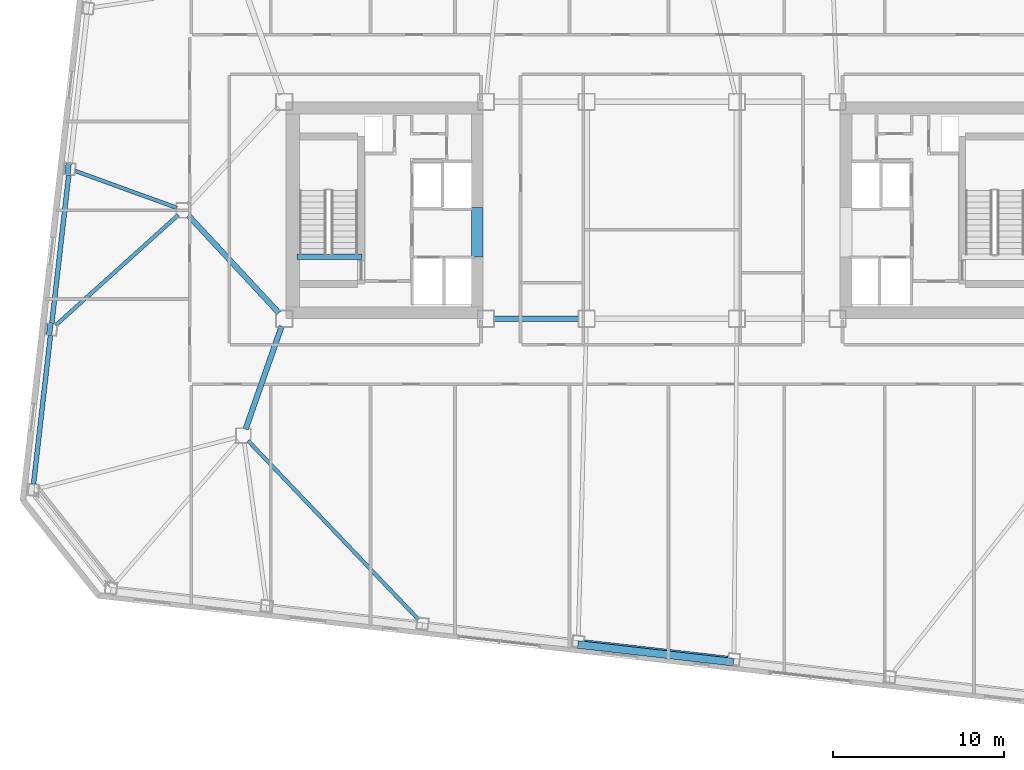
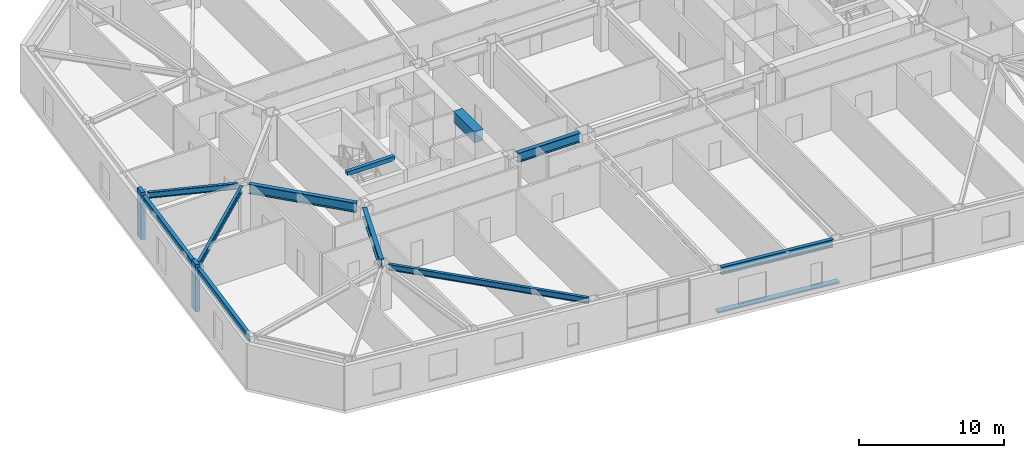
# One storey, part 3 of 21: 11 beams, 3 members.
"""IFC4 building model written with IfcOpenShell, lengths in metres."""

from ifc_helpers import new_model, si_unit, direction, frame, origin, origin_2d, place, context, subcontext, project, spatial, rectangle, i_section, extrude, material, material_profile, profile_set, type_object, element, save


model = new_model("IFC4")

# Units and contexts
model_context = context("Model", 3, precision=1e-05, world=origin(), true_north=direction((0.0, 1.0)))
body_context = subcontext(model_context, "Body", "Model", "MODEL_VIEW")
ifc_project = project(units=[si_unit("LENGTHUNIT", "METRE"), si_unit("AREAUNIT", "SQUARE_METRE"), si_unit("VOLUMEUNIT", "CUBIC_METRE"), si_unit("PLANEANGLEUNIT", "RADIAN"), si_unit("MASSUNIT", "GRAM", prefix="KILO")], contexts=[model_context])

# Site, building, storey
site_placement = place(None, origin())
site = spatial("IfcSite", under=ifc_project, at=site_placement, CompositionType="ELEMENT")
building_placement = place(site_placement, origin())
building = spatial("IfcBuilding", under=site, at=building_placement, Name="Tavrogorsk Clinical Tower", CompositionType="ELEMENT")
storey_placement = place(building_placement, frame((0.0, 0.0, 129.39990234375)))
storey = spatial("IfcBuildingStorey", under=building, at=storey_placement, Name="L29", CompositionType="ELEMENT", Elevation=129.39990234375)

# Member
ifc_material_1 = material(Name="Anodised aluminium alloy AW-6063", Category="aluminium")
ifc_material_profile_1 = material_profile(ifc_material_1, rectangle(XDim=0.449951171875, YDim=0.1201171875, at=origin_2d()), Name="ALU-SUNSHADE-450x120")
ifc_profile_set_1 = profile_set([ifc_material_profile_1], Name="Anodised aluminium alloy AW-6063")
member_type_1 = type_object("IfcMemberType", Name="ChicagoSunshade_450x120", PredefinedType="USERDEFINED", material=ifc_profile_set_1)
member_placement = place(storey_placement, frame((-4.909912109375, -25.42431640625, 0.18017578125), z_axis=(0.993572654864, -0.113196199166, 0.0), x_axis=(0.113196199166, 0.993572654864, 0.0)))
element("IfcMember", 1, at=member_placement, inside=storey, type_object=member_type_1, Name="L29 South Aluminium Sunshade S4", ObjectType="SUNSHADE", PredefinedType="USERDEFINED", context=body_context, shape_type="SweptSolid", body=[
    extrude(rectangle(XDim=0.449951171875, YDim=0.1201171875, at=origin_2d()), origin(), (0.0, 0.0, 1.0), 9.17724609375),
])

# Beams
ifc_material_2 = material(Name="Concrete B80", Category="concrete")
ifc_material_profile_2 = material_profile(ifc_material_2, rectangle(XDim=0.699951171875, YDim=0.949951171875, at=origin_2d()), Name="RC-CB-700x950")
ifc_profile_set_2 = profile_set([ifc_material_profile_2], Name="Concrete B80")
beam_type_1 = type_object("IfcBeamType", Name="CouplingBeam_RC700x950", PredefinedType="LINTEL", material=ifc_profile_set_2)
beam_1_placement = place(storey_placement, frame((-10.800048828125, -2.75, 3.26513671875), z_axis=(0.0, 1.0, 0.0), x_axis=(-1.0, 0.0, 0.0)))
element("IfcBeam", 2, at=beam_1_placement, inside=storey, type_object=beam_type_1, Name="L29 Core West Coupling Beam", PredefinedType="LINTEL", context=body_context, shape_type="SweptSolid", body=[
    extrude(rectangle(XDim=0.699951171875, YDim=0.949951171875, at=origin_2d()), origin(), (0.0, 0.0, 1.0), 2.89990234375),
])
ifc_material_3 = material(Name="Structural steel S355", Category="steel")
ifc_material_profile_3 = material_profile(ifc_material_3, i_section(OverallWidth=0.219970703125, OverallDepth=0.5, WebThickness=0.012939453125, FlangeThickness=0.02001953125, at=origin_2d()), Name="B-500x220x13x20")
ifc_profile_set_3 = profile_set([ifc_material_profile_3], Name="Structural steel S355")
beam_type_2 = type_object("IfcBeamType", Name="FloorBeam_B500", PredefinedType="BEAM", material=ifc_profile_set_3)
beam_2_placement = place(storey_placement, frame((-24.217041015625, -13.496826171875, 3.489990234375), z_axis=(0.689995410805, -0.723813741972, 0.0), x_axis=(0.723813741972, 0.689995410805, 0.0)))
element("IfcBeam", 3, at=beam_2_placement, inside=storey, type_object=beam_type_2, Name="L29 Radial Floor Beam S3", PredefinedType="BEAM", context=body_context, shape_type="SweptSolid", body=[
    extrude(i_section(OverallWidth=0.219970703125, OverallDepth=0.5, WebThickness=0.012939453125, FlangeThickness=0.02001953125, at=origin_2d()), origin(), (0.0, 0.0, 1.0), 14.4384765625),
])
beam_3_placement = place(storey_placement, frame((-28.385498046875, 0.139892578125, 3.489990234375), z_axis=(-0.939993443432, 0.341192506225, 0.0), x_axis=(-0.341192506225, -0.939993443432, 0.0)))
element("IfcBeam", 4, at=beam_3_placement, inside=storey, type_object=beam_type_2, Name="L29 Radial Floor Beam W3", PredefinedType="BEAM", context=body_context, shape_type="SweptSolid", body=[
    extrude(i_section(OverallWidth=0.219970703125, OverallDepth=0.5, WebThickness=0.012939453125, FlangeThickness=0.02001953125, at=origin_2d()), origin(), (0.0, 0.0, 1.0), 6.33837890625),
])
beam_4_placement = place(storey_placement, frame((-28.3046875, -0.274169921875, 3.489990234375), z_axis=(-0.743369550828, -0.668880939257, 0.0), x_axis=(0.668880939257, -0.743369550828, 0.0)))
element("IfcBeam", 5, at=beam_4_placement, inside=storey, type_object=beam_type_2, Name="L29 Radial Floor Beam W4", PredefinedType="BEAM", context=body_context, shape_type="SweptSolid", body=[
    extrude(i_section(OverallWidth=0.219970703125, OverallDepth=0.5, WebThickness=0.012939453125, FlangeThickness=0.02001953125, at=origin_2d()), origin(), (0.0, 0.0, 1.0), 9.658935546875),
])

# Members
ifc_material_4 = material(Name="Precast concrete B45 with limestone cladding", Category="masonry")
ifc_material_profile_4 = material_profile(ifc_material_4, rectangle(XDim=0.320068359375, YDim=0.719970703125, at=origin_2d()), Name="LIMESTONE-FIN-320x720")
ifc_profile_set_4 = profile_set([ifc_material_profile_4], Name="Precast concrete B45 with limestone cladding")
member_type_2 = type_object("IfcMemberType", Name="LimestonePleatFin_320x720", PredefinedType="USERDEFINED", material=ifc_profile_set_4)
for number, where, z_axis, x_axis, name in (
    (6, (-34.759521484375, 2.433837890625, 0.0), (0.0, 0.0, 1.0), (0.993571855677, -0.113203213768, 0.0), "L29 W Pleated Stone Fin 2"),
    (7, (-35.83056640625, -6.96533203125, 0.0), (0.0, 0.0, 1.0), (0.993571855677, -0.113203213768, 0.0), "L29 W Pleated Stone Fin 3"),
):
    element("IfcMember", number, at=place(storey_placement, frame(where, z_axis=z_axis, x_axis=x_axis)), inside=storey, type_object=member_type_2, Name=name, ObjectType="FIN", PredefinedType="USERDEFINED", context=body_context, shape_type="SweptSolid", body=[
        extrude(rectangle(XDim=0.320068359375, YDim=0.719970703125, at=origin_2d()), origin(), (0.0, 0.0, 1.0), 4.0),
    ])

# Beams
ifc_material_5 = material(Name="Structural steel S390", Category="steel")
ifc_material_profile_5 = material_profile(ifc_material_5, i_section(OverallWidth=0.320068359375, OverallDepth=0.800048828125, WebThickness=0.02001953125, FlangeThickness=0.033935546875, at=origin_2d()), Name="B-800x320x20x34")
ifc_profile_set_5 = profile_set([ifc_material_profile_5], Name="Structural steel S390")
beam_type_3 = type_object("IfcBeamType", Name="PrimaryGirder_B800", PredefinedType="USERDEFINED", material=ifc_profile_set_5)
beam_5_placement = place(storey_placement, frame((-9.840087890625, -6.35009765625, 3.340087890625), z_axis=(1.0, 0.0, 0.0), x_axis=(0.0, 1.0, 0.0)))
element("IfcBeam", 8, at=beam_5_placement, inside=storey, type_object=beam_type_3, Name="L29 Primary Spine Girder MG-01", ObjectType="GIRDER", PredefinedType="USERDEFINED", context=body_context, shape_type="SweptSolid", body=[
    extrude(i_section(OverallWidth=0.320068359375, OverallDepth=0.800048828125, WebThickness=0.02001953125, FlangeThickness=0.033935546875, at=origin_2d()), origin(), (0.0, 0.0, 1.0), 4.97998046875),
])
beam_6_placement = place(storey_placement, frame((-24.364501953125, -12.81298828125, 3.340087890625), z_axis=(0.330660234815, 0.943749865755, 0.0), x_axis=(-0.943749865755, 0.330660234815, 0.0)))
element("IfcBeam", 9, at=beam_6_placement, inside=storey, type_object=beam_type_3, Name="L29 Spine Link Girder OPG-1", ObjectType="GIRDER", PredefinedType="USERDEFINED", context=body_context, shape_type="SweptSolid", body=[
    extrude(i_section(OverallWidth=0.320068359375, OverallDepth=0.800048828125, WebThickness=0.02001953125, FlangeThickness=0.033935546875, at=origin_2d()), origin(), (0.0, 0.0, 1.0), 6.38818359375),
])
beam_7_placement = place(storey_placement, frame((-27.720947265625, -0.30029296875, 3.340087890625), z_axis=(0.680675630035, -0.732584934787, 0.0), x_axis=(0.732584934787, 0.680675630035, 0.0)))
element("IfcBeam", 10, at=beam_7_placement, inside=storey, type_object=beam_type_3, Name="L29 Spine Link Girder OPG-5", ObjectType="GIRDER", PredefinedType="USERDEFINED", context=body_context, shape_type="SweptSolid", body=[
    extrude(i_section(OverallWidth=0.320068359375, OverallDepth=0.800048828125, WebThickness=0.02001953125, FlangeThickness=0.033935546875, at=origin_2d()), origin(), (0.0, 0.0, 1.0), 7.7978515625),
])
ifc_material_6 = material(Name="Structural steel S390", Category="steel")
ifc_material_profile_6 = material_profile(ifc_material_6, i_section(OverallWidth=0.280029296875, OverallDepth=0.64990234375, WebThickness=0.01611328125, FlangeThickness=0.02490234375, at=origin_2d()), Name="B-650x280x16x25")
ifc_profile_set_6 = profile_set([ifc_material_profile_6], Name="Structural steel S390")
beam_type_4 = type_object("IfcBeamType", Name="SpandrelBeam_B650", PredefinedType="SPANDREL", material=ifc_profile_set_6)
beam_8_placement = place(storey_placement, frame((-4.533935546875, -25.2861328125, 3.4150390625), z_axis=(0.993572695356, -0.113195843756, 0.0), x_axis=(0.113195843756, 0.993572695356, 0.0)))
element("IfcBeam", 11, at=beam_8_placement, inside=storey, type_object=beam_type_4, Name="L29 Perimeter Spandrel S4-S5", PredefinedType="SPANDREL", context=body_context, shape_type="SweptSolid", body=[
    extrude(i_section(OverallWidth=0.280029296875, OverallDepth=0.64990234375, WebThickness=0.01611328125, FlangeThickness=0.02490234375, at=origin_2d()), origin(), (0.0, 0.0, 1.0), 8.461181640625),
])
for number, where, z_axis, x_axis, name in (
    (12, (-34.720703125, 2.069091796875, 3.4150390625), (-0.113192226434, -0.993573107464, 0.0), (0.993573107464, -0.113192226434, 0.0), "L29 Perimeter Spandrel W3-W4"),
    (13, (-35.79150390625, -7.330078125, 3.4150390625), (-0.113192226434, -0.993573107464, 0.0), (0.993573107464, -0.113192226434, 0.0), "L29 Perimeter Spandrel W4-W5"),
):
    element("IfcBeam", number, at=place(storey_placement, frame(where, z_axis=z_axis, x_axis=x_axis)), inside=storey, type_object=beam_type_4, Name=name, PredefinedType="SPANDREL", context=body_context, shape_type="SweptSolid", body=[
        extrude(i_section(OverallWidth=0.280029296875, OverallDepth=0.64990234375, WebThickness=0.01611328125, FlangeThickness=0.02490234375, at=origin_2d()), origin(), (0.0, 0.0, 1.0), 8.743896484375),
    ])
ifc_material_7 = material(Name="Concrete B60", Category="concrete")
ifc_material_profile_7 = material_profile(ifc_material_7, rectangle(XDim=0.300048828125, YDim=0.35009765625, at=origin_2d()), Name="RC-SHB-300x350")
ifc_profile_set_7 = profile_set([ifc_material_profile_7], Name="Concrete B60")
beam_type_5 = type_object("IfcBeamType", Name="StairHeaderBeam_RC300x350", PredefinedType="BEAM", material=ifc_profile_set_7)
beam_9_placement = place(storey_placement, frame((-21.35009765625, -2.719970703125, 3.8251953125), z_axis=(1.0, 0.0, 0.0), x_axis=(0.0, 1.0, 0.0)))
element("IfcBeam", 14, at=beam_9_placement, inside=storey, type_object=beam_type_5, Name="L30 ST-W Landing Header Beam", PredefinedType="BEAM", context=body_context, shape_type="SweptSolid", body=[
    extrude(rectangle(XDim=0.300048828125, YDim=0.35009765625, at=origin_2d()), origin(), (0.0, 0.0, 1.0), 3.800048828125),
])

save(model, "model.ifc")
